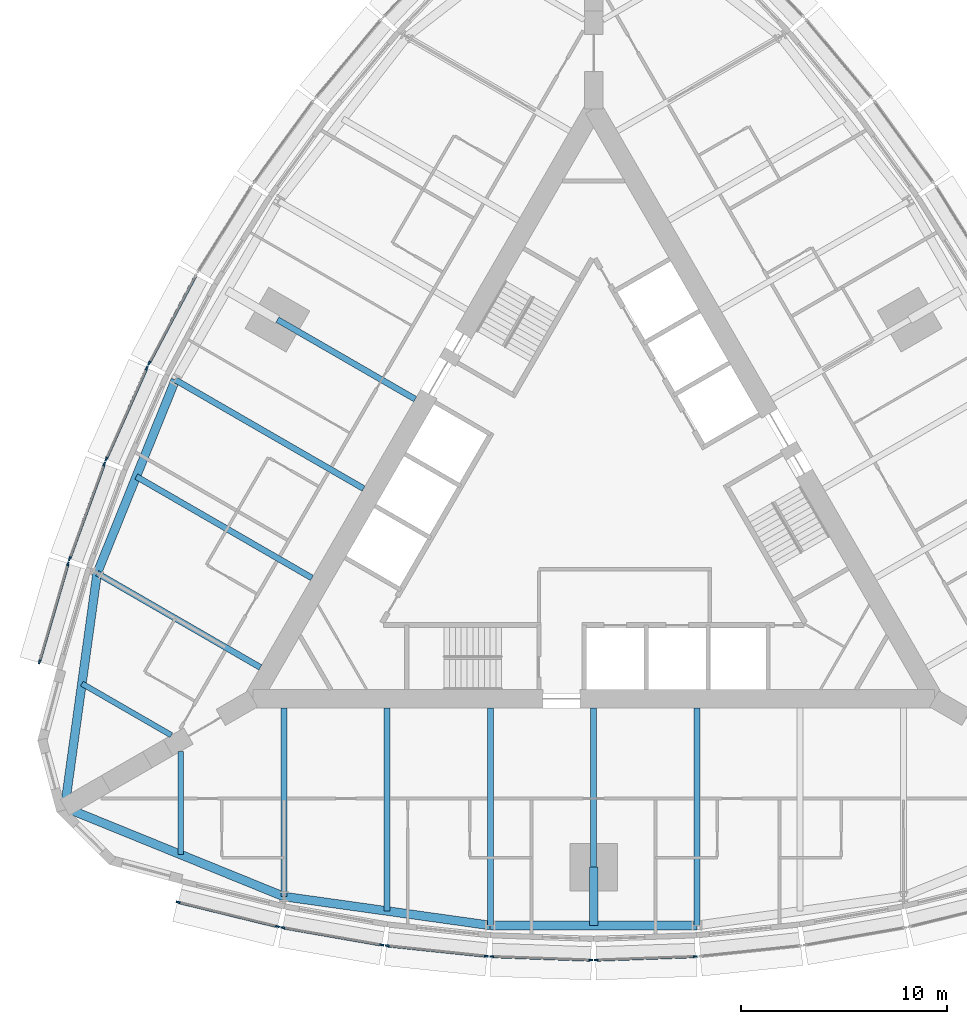
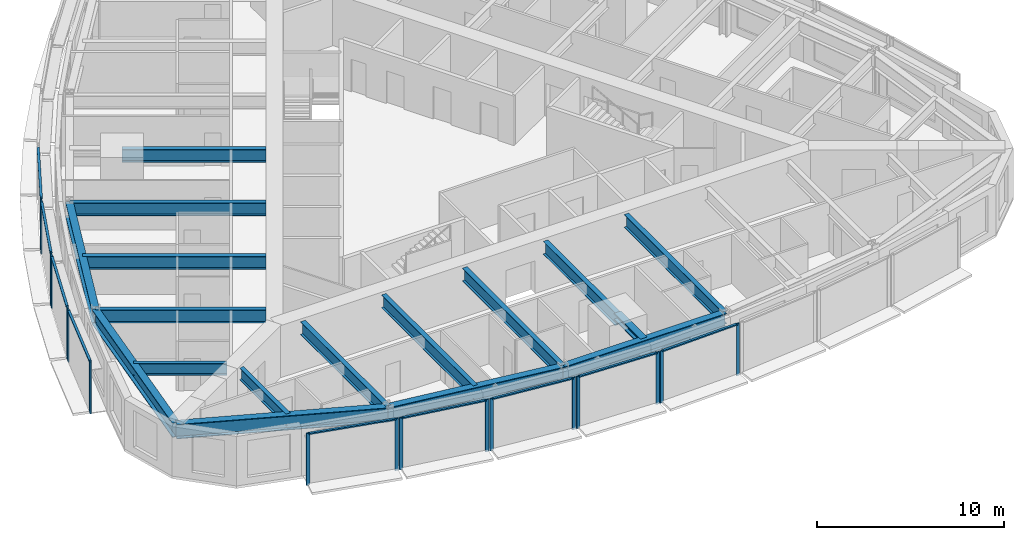
# One storey, part 2 of 14: 26 members, 17 beams, 9 elements without a shape of their own.
"""IFC4 building model written with IfcOpenShell, lengths in metres."""

import ifcopenshell
import ifcopenshell.guid

model = None  # the IFC model being written
_history = None  # IfcOwnerHistory: only IFC2X3 demands one
_inside = {}  # id of a spatial element -> (the spatial element, [elements in it])
_under = {}  # id of a project, library or spatial element -> (it, [spatial elements below it])
_declared = {}  # id of a project -> (the project, [libraries it declares])
_typed = {}  # id of a type object -> (the type object, [elements of that type])
_made_of = {}  # id of a material, layer set ... -> (it, [elements and type objects made of it])


def new_model(schema):
    """Start an empty IFC model of exactly this schema.

    Asked for "IFC4X3", IfcOpenShell would pick the latest addendum, in which some entities
    have other attributes; the version numbers below select the first issue.
    IFC2X3 requires an IfcOwnerHistory on every rooted entity: one is made here for all.
    """
    global model, _history
    if schema == "IFC4X3":
        model = ifcopenshell.file(schema_version=(4, 3, 0, 0))
    else:
        model = ifcopenshell.file(schema=schema)
    _inside.clear()
    _under.clear()
    _declared.clear()
    _typed.clear()
    _made_of.clear()
    _history = None
    if model.schema == "IFC2X3":
        org = make("IfcOrganization", Name="unknown")
        user = make(
            "IfcPersonAndOrganization",
            ThePerson=make("IfcPerson", FamilyName="unknown"),
            TheOrganization=org,
        )
        app = make(
            "IfcApplication",
            ApplicationDeveloper=org,
            Version="unknown",
            ApplicationFullName="unknown",
            ApplicationIdentifier="unknown",
        )
        _history = make(
            "IfcOwnerHistory",
            OwningUser=user,
            OwningApplication=app,
            ChangeAction="ADDED",
            CreationDate=0,
        )
    return model


def make(cls, **values):
    """One entity of the class cls with the attributes given. An attribute that is None is left unset."""
    return model.create_entity(
        cls, **{name: value for name, value in values.items() if value is not None}
    )


def rooted(cls, **values):
    """An entity with a GlobalId (a new one), such as an element, a storey or a relation."""
    return make(cls, GlobalId=ifcopenshell.guid.new(), OwnerHistory=_history, **values)


def si_unit(unit_type, name, prefix=None):
    """IfcSIUnit, for example si_unit("LENGTHUNIT", "METRE", prefix="MILLI")."""
    return make("IfcSIUnit", UnitType=unit_type, Prefix=prefix, Name=name)


def assignment(units):
    """IfcUnitAssignment: the units of a project."""
    return None if units is None else make("IfcUnitAssignment", Units=units)


def point(xyz):
    """IfcCartesianPoint."""
    return None if xyz is None else make("IfcCartesianPoint", Coordinates=xyz)


def direction(xyz):
    """IfcDirection."""
    return None if xyz is None else make("IfcDirection", DirectionRatios=xyz)


def frame(location, z_axis=None, x_axis=None):
    """IfcAxis2Placement3D, a coordinate frame: its origin and axes. An axis left out is left unset."""
    return make(
        "IfcAxis2Placement3D",
        Location=point(location),
        Axis=direction(z_axis),
        RefDirection=direction(x_axis),
    )


def frame_2d(location, x_axis=None):
    """IfcAxis2Placement2D, a coordinate frame in the plane: its origin and x axis."""
    return make(
        "IfcAxis2Placement2D", Location=point(location), RefDirection=direction(x_axis)
    )


def origin():
    """The frame at (0, 0, 0) with its axes left unset."""
    return frame((0.0, 0.0, 0.0))


def origin_2d():
    """The frame at (0, 0) in the plane with its x axis left unset."""
    return frame_2d((0.0, 0.0))


def place(relative_to, where):
    """IfcLocalPlacement: puts the frame where relative to a parent placement (None: the world)."""
    return make(
        "IfcLocalPlacement", PlacementRelTo=relative_to, RelativePlacement=where
    )


def context(
    kind, dimensions, precision=None, world=None, true_north=None, identifier=None
):
    """IfcGeometricRepresentationContext, for example the 3D "Model" context."""
    return make(
        "IfcGeometricRepresentationContext",
        ContextIdentifier=identifier,
        ContextType=kind,
        CoordinateSpaceDimension=dimensions,
        Precision=precision,
        WorldCoordinateSystem=world,
        TrueNorth=true_north,
    )


def subcontext(parent, identifier, kind, view, scale=None):
    """IfcGeometricRepresentationSubContext, for example "Body" below "Model"."""
    return make(
        "IfcGeometricRepresentationSubContext",
        ContextIdentifier=identifier,
        ContextType=kind,
        ParentContext=parent,
        TargetScale=scale,
        TargetView=view,
    )


def project(units=None, contexts=None):
    """IfcProject with its units and contexts."""
    return rooted(
        "IfcProject",
        Name="project",
        RepresentationContexts=contexts,
        UnitsInContext=assignment(units),
    )


def spatial(cls, under=None, at=None, **own):
    """A site, building, storey or space (cls), placed at a placement, below another one or the project."""
    s = rooted(cls, ObjectPlacement=at, **own)
    if under is not None:
        _under.setdefault(under.id(), (under, []))[1].append(s)
    return s


def profile(cls, at=None, kind="AREA", **sizes):
    """A parametric profile (cls). Its sizes go by their IFC names, for example OverallWidth=200.0."""
    return make(cls, ProfileType=kind, Position=at, **sizes)


def rectangle(**sizes):
    """IfcRectangleProfileDef."""
    return profile("IfcRectangleProfileDef", **sizes)


def i_section(**sizes):
    """IfcIShapeProfileDef."""
    return profile("IfcIShapeProfileDef", **sizes)


def extrude(swept, where, along, depth):
    """IfcExtrudedAreaSolid: the profile swept, set in the frame where, extruded along a direction by depth."""
    return make(
        "IfcExtrudedAreaSolid",
        SweptArea=swept,
        Position=where,
        ExtrudedDirection=direction(along),
        Depth=depth,
    )


def shape(context_of_items, identifier, shape_type, items):
    """IfcShapeRepresentation: the items that make up one representation, for example the "Body"."""
    return make(
        "IfcShapeRepresentation",
        ContextOfItems=context_of_items,
        RepresentationIdentifier=identifier,
        RepresentationType=shape_type,
        Items=items,
    )


def material(Name=None, Category=None):
    """IfcMaterial."""
    return make("IfcMaterial", Name=Name, Category=Category)


def material_profile(
    of_material, cross_section, Name=None, Category=None, Priority=None
):
    """IfcMaterialProfile: a cross section and its material."""
    return make(
        "IfcMaterialProfile",
        Name=Name,
        Material=of_material,
        Profile=cross_section,
        Priority=Priority,
        Category=Category,
    )


def profile_set(profiles, Name=None, composite=None):
    """IfcMaterialProfileSet."""
    return make(
        "IfcMaterialProfileSet",
        Name=Name,
        MaterialProfiles=profiles,
        CompositeProfile=composite,
    )


def made_of(thing, what):
    """Note that an element or type object is made of a material, layer set ...; save() writes the relation."""
    if what is not None:
        _made_of.setdefault(what.id(), (what, []))[1].append(thing)
    return thing


def type_object(cls, material=None, **own):
    """A type object (cls), such as IfcWallType, which elements share."""
    return made_of(rooted(cls, **own), material)


def element(
    cls,
    number,
    at=None,
    inside=None,
    cuts=None,
    type_object=None,
    material=None,
    context=None,
    identifier="Body",
    shape_type=None,
    held_by="IfcProductDefinitionShape",
    body=None,
    shapes=None,
    **own,
):
    """One element of the class cls, such as IfcWall. Its Tag is "e" and its number.

    at: its placement. inside: the storey or other place that contains it. cuts: it is an
    opening in that element (IfcRelVoidsElement). A single representation is given by context,
    identifier, shape_type and body (its items); several are given by shapes. held_by: the class
    of the entity that holds the representations. save() writes the other relations.
    """
    e = rooted(cls, Tag="e%d" % number, ObjectPlacement=at, **own)
    if body is not None:
        shapes = [shape(context, identifier, shape_type, body)]
    if shapes is not None:
        e.Representation = make(held_by, Representations=shapes)
    if inside is not None:
        _inside.setdefault(inside.id(), (inside, []))[1].append(e)
    if cuts is not None:
        rooted(
            "IfcRelVoidsElement", RelatingBuildingElement=cuts, RelatedOpeningElement=e
        )
    if type_object is not None:
        _typed.setdefault(type_object.id(), (type_object, []))[1].append(e)
    return made_of(e, material)


def aggregate(whole, parts):
    """IfcRelAggregates: a whole, such as a stair, and the parts it consists of."""
    return rooted("IfcRelAggregates", RelatingObject=whole, RelatedObjects=parts)


def save(model, path):
    """Write the relations noted so far, then the file.

    IfcRelAggregates (storeys below a building ...), IfcRelContainedInSpatialStructure (elements
    in a storey), IfcRelDefinesByType, IfcRelAssociatesMaterial and IfcRelDeclares: one each for
    every whole, place, type object, material and project.
    """
    for whole, parts in _under.values():
        aggregate(whole, parts)
    for where, things in _inside.values():
        rooted(
            "IfcRelContainedInSpatialStructure",
            RelatedElements=things,
            RelatingStructure=where,
        )
    for kind, things in _typed.values():
        rooted("IfcRelDefinesByType", RelatedObjects=things, RelatingType=kind)
    for what, things in _made_of.values():
        rooted("IfcRelAssociatesMaterial", RelatedObjects=things, RelatingMaterial=what)
    for by, libraries in _declared.values():
        rooted("IfcRelDeclares", RelatingContext=by, RelatedDefinitions=libraries)
    model.write(path)


model = new_model("IFC4")

# Units and contexts
model_context = context("Model", 3, precision=1e-05, world=origin(), true_north=direction((0.0, 1.0)))
body_context = subcontext(model_context, "Body", "Model", "MODEL_VIEW")
ifc_project = project(units=[si_unit("LENGTHUNIT", "METRE"), si_unit("AREAUNIT", "SQUARE_METRE"), si_unit("VOLUMEUNIT", "CUBIC_METRE"), si_unit("PLANEANGLEUNIT", "RADIAN"), si_unit("MASSUNIT", "GRAM", prefix="KILO")], contexts=[model_context])

# Site, building, storey
site_placement = place(None, origin())
site = spatial("IfcSite", under=ifc_project, at=site_placement, CompositionType="ELEMENT")
building_placement = place(site_placement, origin())
building = spatial("IfcBuilding", under=site, at=building_placement, Name="Trikona Tower", CompositionType="ELEMENT")
storey_placement = place(building_placement, frame((0.0, 0.0, 165.699951171875)))
storey = spatial("IfcBuildingStorey", under=building, at=storey_placement, Name="L44", CompositionType="ELEMENT", Elevation=165.699951171875)

# Curtain wall, members
ifc_material_1 = material(Name="Aluminium curtain wall system", Category="aluminium")
curtain_wall_type = type_object("IfcCurtainWallType", Name="Curtain wall DS2", PredefinedType="NOTDEFINED", material=ifc_material_1)
curtain_wall_1_placement = place(storey_placement, origin())
curtain_wall_1 = element("IfcCurtainWall", 1, at=curtain_wall_1_placement, inside=storey, type_object=curtain_wall_type, Name="Curtain wall DS2 L44", PredefinedType="NOTDEFINED")
ifc_material_2 = material(Name="Aluminium mullion, pale anodised", Category="aluminium")
ifc_material_profile_1 = material_profile(ifc_material_2, rectangle(XDim=0.080078125, YDim=0.199951171875, at=origin_2d()), Name="MUL-DS2")
ifc_profile_set_1 = profile_set([ifc_material_profile_1], Name="Aluminium mullion, pale anodised")
member_type_1 = type_object("IfcMemberType", Name="Mullion DS2 80x200", PredefinedType="MULLION", material=ifc_profile_set_1)
member_1_placement = place(storey_placement, frame((-20.116943359375, -19.373046875, 0.0), z_axis=(0.0, 0.0, 1.0), x_axis=(0.237970204243, 0.971272455026, 0.0)))
member_1 = element("IfcMember", 2, at=member_1_placement, type_object=member_type_1, Name="CW-DS2 mullion 1", PredefinedType="MULLION", context=body_context, shape_type="SweptSolid", body=[
    extrude(rectangle(XDim=0.080078125, YDim=0.199951171875, at=origin_2d()), origin(), (0.0, 0.0, 1.0), 3.400146484375),
])
member_2_placement = place(storey_placement, frame((-15.311279296875, -20.550537109375, 0.0), z_axis=(0.0, 0.0, 1.0), x_axis=(0.237970204243, 0.971272455026, 0.0)))
member_2 = element("IfcMember", 3, at=member_2_placement, type_object=member_type_1, Name="CW-DS2 mullion 2", PredefinedType="MULLION", context=body_context, shape_type="SweptSolid", body=[
    extrude(rectangle(XDim=0.080078125, YDim=0.199951171875, at=origin_2d()), origin(), (0.0, 0.0, 1.0), 3.400146484375),
])

curtain_wall_2_placement = place(storey_placement, origin())
curtain_wall_2 = element("IfcCurtainWall", 4, at=curtain_wall_2_placement, inside=storey, type_object=curtain_wall_type, Name="Curtain wall DS2 L44", PredefinedType="NOTDEFINED")
member_3_placement = place(storey_placement, frame((-15.056640625, -20.60400390625, 0.0), z_axis=(0.0, 0.0, 1.0), x_axis=(0.17237739505, 0.985030981074, 0.0)))
member_3 = element("IfcMember", 5, at=member_3_placement, type_object=member_type_1, Name="CW-DS2 mullion 1", PredefinedType="MULLION", context=body_context, shape_type="SweptSolid", body=[
    extrude(rectangle(XDim=0.080078125, YDim=0.199951171875, at=origin_2d()), origin(), (0.0, 0.0, 1.0), 3.400146484375),
])
member_4_placement = place(storey_placement, frame((-10.253662109375, -21.444580078125, 0.0), z_axis=(0.0, 0.0, 1.0), x_axis=(0.17237739505, 0.985030981074, 0.0)))
member_4 = element("IfcMember", 6, at=member_4_placement, type_object=member_type_1, Name="CW-DS2 mullion 2", PredefinedType="MULLION", context=body_context, shape_type="SweptSolid", body=[
    extrude(rectangle(XDim=0.080078125, YDim=0.199951171875, at=origin_2d()), origin(), (0.0, 0.0, 1.0), 3.400146484375),
])

curtain_wall_3_placement = place(storey_placement, origin())
curtain_wall_3 = element("IfcCurtainWall", 7, at=curtain_wall_3_placement, inside=storey, type_object=curtain_wall_type, Name="Curtain wall DS2 L44", PredefinedType="NOTDEFINED")
member_5_placement = place(storey_placement, frame((-9.99462890625, -21.480712890625, 0.0), z_axis=(0.0, 0.0, 1.0), x_axis=(0.104433387357, 0.994531883654, 0.0)))
member_5 = element("IfcMember", 8, at=member_5_placement, type_object=member_type_1, Name="CW-DS2 mullion 1", PredefinedType="MULLION", context=body_context, shape_type="SweptSolid", body=[
    extrude(rectangle(XDim=0.080078125, YDim=0.199951171875, at=origin_2d()), origin(), (0.0, 0.0, 1.0), 3.400146484375),
])
member_6_placement = place(storey_placement, frame((-5.193359375, -21.98486328125, 0.0), z_axis=(0.0, 0.0, 1.0), x_axis=(0.104433387357, 0.994531883654, 0.0)))
member_6 = element("IfcMember", 9, at=member_6_placement, type_object=member_type_1, Name="CW-DS2 mullion 2", PredefinedType="MULLION", context=body_context, shape_type="SweptSolid", body=[
    extrude(rectangle(XDim=0.080078125, YDim=0.199951171875, at=origin_2d()), origin(), (0.0, 0.0, 1.0), 3.400146484375),
])

curtain_wall_4_placement = place(storey_placement, origin())
curtain_wall_4 = element("IfcCurtainWall", 10, at=curtain_wall_4_placement, inside=storey, type_object=curtain_wall_type, Name="Curtain wall DS2 L44", PredefinedType="NOTDEFINED")
member_7_placement = place(storey_placement, frame((-4.931640625, -22.003173828125, 0.0), z_axis=(0.0, 0.0, 1.0), x_axis=(0.034998320052, 0.99938737114, 0.0)))
member_7 = element("IfcMember", 11, at=member_7_placement, type_object=member_type_1, Name="CW-DS2 mullion 1", PredefinedType="MULLION", context=body_context, shape_type="SweptSolid", body=[
    extrude(rectangle(XDim=0.080078125, YDim=0.199951171875, at=origin_2d()), origin(), (0.0, 0.0, 1.0), 3.400146484375),
])
member_8_placement = place(storey_placement, frame((-0.13134765625, -22.171142578125, 0.0), z_axis=(0.0, 0.0, 1.0), x_axis=(0.034998320052, 0.99938737114, 0.0)))
member_8 = element("IfcMember", 12, at=member_8_placement, type_object=member_type_1, Name="CW-DS2 mullion 2", PredefinedType="MULLION", context=body_context, shape_type="SweptSolid", body=[
    extrude(rectangle(XDim=0.080078125, YDim=0.199951171875, at=origin_2d()), origin(), (0.0, 0.0, 1.0), 3.400146484375),
])

curtain_wall_5_placement = place(storey_placement, origin())
curtain_wall_5 = element("IfcCurtainWall", 13, at=curtain_wall_5_placement, inside=storey, type_object=curtain_wall_type, Name="Curtain wall DS2 L44", PredefinedType="NOTDEFINED")
member_9_placement = place(storey_placement, frame((0.13134765625, -22.171142578125, 0.0), z_axis=(0.0, 0.0, 1.0), x_axis=(-0.034998320052, 0.99938737114, 0.0)))
member_9 = element("IfcMember", 14, at=member_9_placement, type_object=member_type_1, Name="CW-DS2 mullion 1", PredefinedType="MULLION", context=body_context, shape_type="SweptSolid", body=[
    extrude(rectangle(XDim=0.080078125, YDim=0.199951171875, at=origin_2d()), origin(), (0.0, 0.0, 1.0), 3.400146484375),
])
member_10_placement = place(storey_placement, frame((4.931640625, -22.003173828125, 0.0), z_axis=(0.0, 0.0, 1.0), x_axis=(-0.034998320052, 0.99938737114, 0.0)))
member_10 = element("IfcMember", 15, at=member_10_placement, type_object=member_type_1, Name="CW-DS2 mullion 2", PredefinedType="MULLION", context=body_context, shape_type="SweptSolid", body=[
    extrude(rectangle(XDim=0.080078125, YDim=0.199951171875, at=origin_2d()), origin(), (0.0, 0.0, 1.0), 3.400146484375),
])

# Curtain wall, member
curtain_wall_6_placement = place(storey_placement, origin())
curtain_wall_6 = element("IfcCurtainWall", 16, at=curtain_wall_6_placement, inside=storey, type_object=curtain_wall_type, Name="Curtain wall DS2 L44", PredefinedType="NOTDEFINED")
member_11_placement = place(storey_placement, frame((-21.52099609375, 6.730712890625, 0.0), z_axis=(0.0, 0.0, 1.0), x_axis=(0.882996107343, -0.469380308937, 0.0)))
member_11 = element("IfcMember", 17, at=member_11_placement, type_object=member_type_1, Name="CW-DS2 mullion 2", PredefinedType="MULLION", context=body_context, shape_type="SweptSolid", body=[
    extrude(rectangle(XDim=0.080078125, YDim=0.199951171875, at=origin_2d()), origin(), (0.0, 0.0, 1.0), 3.400146484375),
])

# Curtain wall, members
curtain_wall_7_placement = place(storey_placement, origin())
curtain_wall_7 = element("IfcCurtainWall", 18, at=curtain_wall_7_placement, inside=storey, type_object=curtain_wall_type, Name="Curtain wall DS2 L44", PredefinedType="NOTDEFINED")
member_12_placement = place(storey_placement, frame((-21.63623046875, 6.494873046875, 0.0), z_axis=(0.0, 0.0, 1.0), x_axis=(0.913501208767, -0.406836013132, 0.0)))
member_12 = element("IfcMember", 19, at=member_12_placement, type_object=member_type_1, Name="CW-DS2 mullion 1", PredefinedType="MULLION", context=body_context, shape_type="SweptSolid", body=[
    extrude(rectangle(XDim=0.080078125, YDim=0.199951171875, at=origin_2d()), origin(), (0.0, 0.0, 1.0), 3.400146484375),
])
member_13_placement = place(storey_placement, frame((-23.60009765625, 2.0849609375, 0.0), z_axis=(0.0, 0.0, 1.0), x_axis=(0.913501208767, -0.406836013132, 0.0)))
member_13 = element("IfcMember", 20, at=member_13_placement, type_object=member_type_1, Name="CW-DS2 mullion 2", PredefinedType="MULLION", context=body_context, shape_type="SweptSolid", body=[
    extrude(rectangle(XDim=0.080078125, YDim=0.199951171875, at=origin_2d()), origin(), (0.0, 0.0, 1.0), 3.400146484375),
])

curtain_wall_8_placement = place(storey_placement, origin())
curtain_wall_8 = element("IfcCurtainWall", 21, at=curtain_wall_8_placement, inside=storey, type_object=curtain_wall_type, Name="Curtain wall DS2 L44", PredefinedType="NOTDEFINED")
member_14_placement = place(storey_placement, frame((-23.6982421875, 1.84228515625, 0.0), z_axis=(0.0, 0.0, 1.0), x_axis=(0.939253790978, -0.343223420143, 0.0)))
member_14 = element("IfcMember", 22, at=member_14_placement, type_object=member_type_1, Name="CW-DS2 mullion 1", PredefinedType="MULLION", context=body_context, shape_type="SweptSolid", body=[
    extrude(rectangle(XDim=0.080078125, YDim=0.199951171875, at=origin_2d()), origin(), (0.0, 0.0, 1.0), 3.400146484375),
])
member_15_placement = place(storey_placement, frame((-25.371826171875, -2.737548828125, 0.0), z_axis=(0.0, 0.0, 1.0), x_axis=(0.939253790978, -0.343223420143, 0.0)))
member_15 = element("IfcMember", 23, at=member_15_placement, type_object=member_type_1, Name="CW-DS2 mullion 2", PredefinedType="MULLION", context=body_context, shape_type="SweptSolid", body=[
    extrude(rectangle(XDim=0.080078125, YDim=0.199951171875, at=origin_2d()), origin(), (0.0, 0.0, 1.0), 3.400146484375),
])

curtain_wall_9_placement = place(storey_placement, origin())
curtain_wall_9 = element("IfcCurtainWall", 24, at=curtain_wall_9_placement, inside=storey, type_object=curtain_wall_type, Name="Curtain wall DS2 L44", PredefinedType="NOTDEFINED")
member_16_placement = place(storey_placement, frame((-25.452880859375, -2.984619140625, 0.0), z_axis=(0.0, 0.0, 1.0), x_axis=(0.96013310152, -0.279543247757, 0.0)))
member_16 = element("IfcMember", 25, at=member_16_placement, type_object=member_type_1, Name="CW-DS2 mullion 1", PredefinedType="MULLION", context=body_context, shape_type="SweptSolid", body=[
    extrude(rectangle(XDim=0.080078125, YDim=0.199951171875, at=origin_2d()), origin(), (0.0, 0.0, 1.0), 3.400146484375),
])
member_17_placement = place(storey_placement, frame((-26.836181640625, -7.7353515625, 0.0), z_axis=(0.0, 0.0, 1.0), x_axis=(0.96013310152, -0.279543247757, 0.0)))
member_17 = element("IfcMember", 26, at=member_17_placement, type_object=member_type_1, Name="CW-DS2 mullion 2", PredefinedType="MULLION", context=body_context, shape_type="SweptSolid", body=[
    extrude(rectangle(XDim=0.080078125, YDim=0.199951171875, at=origin_2d()), origin(), (0.0, 0.0, 1.0), 3.400146484375),
])

# Beams
ifc_material_3 = material(Name="Steel ASTM A992 Grade 50", Category="steel")
ifc_material_profile_2 = material_profile(ifc_material_3, i_section(OverallWidth=0.419189453125, OverallDepth=0.45458984375, WebThickness=0.042236328125, FlangeThickness=0.067626953125, at=origin_2d()), Name="W14X370")
ifc_profile_set_2 = profile_set([ifc_material_profile_2], Name="Steel ASTM A992 Grade 50")
beam_type_1 = type_object("IfcBeamType", Name="Steel beam W14x370 (apex bracket)", PredefinedType="BEAM", material=ifc_profile_set_2)
beam_1_placement = place(storey_placement, frame((0.0, -17.680419921875, 3.0078125), z_axis=(0.0, -1.0, 0.0), x_axis=(1.0, 0.0, 0.0)))
element("IfcBeam", 27, at=beam_1_placement, inside=storey, type_object=beam_type_1, Name="Cantilever bracket L45 F1", PredefinedType="BEAM", context=body_context, shape_type="SweptSolid", body=[
    extrude(i_section(OverallWidth=0.419189453125, OverallDepth=0.45458984375, WebThickness=0.042236328125, FlangeThickness=0.067626953125, at=origin_2d()), origin(), (0.0, 0.0, 1.0), 2.81982421875),
])
ifc_material_4 = material(Name="Steel ASTM A992 Grade 50", Category="steel")
ifc_material_profile_3 = material_profile(ifc_material_4, i_section(OverallWidth=0.2666015625, OverallDepth=0.76953125, WebThickness=0.015625, FlangeThickness=0.025390625, at=origin_2d()), Name="W30X132")
ifc_profile_set_3 = profile_set([ifc_material_profile_3], Name="Steel ASTM A992 Grade 50")
beam_type_2 = type_object("IfcBeamType", Name="Steel beam W30x132 (wedge)", PredefinedType="BEAM", material=ifc_profile_set_3)
beam_2_placement = place(storey_placement, frame((-20.0, -12.066650390625, 2.850341796875), z_axis=(0.0, -1.0, 0.0), x_axis=(1.0, 0.0, 0.0)))
element("IfcBeam", 28, at=beam_2_placement, inside=storey, type_object=beam_type_2, Name="Floor beam L45 F1 u-20", PredefinedType="BEAM", context=body_context, shape_type="SweptSolid", body=[
    extrude(i_section(OverallWidth=0.2666015625, OverallDepth=0.76953125, WebThickness=0.015625, FlangeThickness=0.025390625, at=origin_2d()), origin(), (0.0, 0.0, 1.0), 5.00048828125),
])
beam_3_placement = place(storey_placement, frame((-20.449951171875, -11.287109375, 2.850341796875), z_axis=(-0.866038434829, 0.49997742889, 0.0), x_axis=(-0.49997742889, -0.866038434829, 0.0)))
element("IfcBeam", 29, at=beam_3_placement, inside=storey, type_object=beam_type_2, Name="Floor beam L45 F3 u20", PredefinedType="BEAM", context=body_context, shape_type="SweptSolid", body=[
    extrude(i_section(OverallWidth=0.2666015625, OverallDepth=0.76953125, WebThickness=0.015625, FlangeThickness=0.025390625, at=origin_2d()), origin(), (0.0, 0.0, 1.0), 5.000732421875),
])
ifc_material_5 = material(Name="Steel ASTM A992 Grade 50", Category="steel")
ifc_material_profile_4 = material_profile(ifc_material_5, i_section(OverallWidth=0.2919921875, OverallDepth=0.845703125, WebThickness=0.015380859375, FlangeThickness=0.0244140625, at=origin_2d()), Name="W33X141")
ifc_profile_set_4 = profile_set([ifc_material_profile_4], Name="Steel ASTM A992 Grade 50")
beam_type_3 = type_object("IfcBeamType", Name="Steel beam W33x141 (radial typ)", PredefinedType="BEAM", material=ifc_profile_set_4)
beam_4_placement = place(storey_placement, frame((-15.0, -9.976318359375, 2.812255859375), z_axis=(0.0, -1.0, 0.0), x_axis=(1.0, 0.0, 0.0)))
element("IfcBeam", 30, at=beam_4_placement, inside=storey, type_object=beam_type_3, Name="Floor beam L45 F1 u-15", PredefinedType="BEAM", context=body_context, shape_type="SweptSolid", body=[
    extrude(i_section(OverallWidth=0.2919921875, OverallDepth=0.845703125, WebThickness=0.015380859375, FlangeThickness=0.0244140625, at=origin_2d()), origin(), (0.0, 0.0, 1.0), 9.123779296875),
])
beam_5_placement = place(storey_placement, frame((-10.0, -9.976318359375, 2.812255859375), z_axis=(0.0, -1.0, 0.0), x_axis=(1.0, 0.0, 0.0)))
element("IfcBeam", 31, at=beam_5_placement, inside=storey, type_object=beam_type_3, Name="Floor beam L45 F1 u-10", PredefinedType="BEAM", context=body_context, shape_type="SweptSolid", body=[
    extrude(i_section(OverallWidth=0.2919921875, OverallDepth=0.845703125, WebThickness=0.015380859375, FlangeThickness=0.0244140625, at=origin_2d()), origin(), (0.0, 0.0, 1.0), 9.823974609375),
])
beam_6_placement = place(storey_placement, frame((-5.0, -9.976318359375, 2.812255859375), z_axis=(0.0, -1.0, 0.0), x_axis=(1.0, 0.0, 0.0)))
element("IfcBeam", 32, at=beam_6_placement, inside=storey, type_object=beam_type_3, Name="Floor beam L45 F1 u-5", PredefinedType="BEAM", context=body_context, shape_type="SweptSolid", body=[
    extrude(i_section(OverallWidth=0.2919921875, OverallDepth=0.845703125, WebThickness=0.015380859375, FlangeThickness=0.0244140625, at=origin_2d()), origin(), (0.0, 0.0, 1.0), 10.52392578125),
])
beam_7_placement = place(storey_placement, frame((0.0, -9.976318359375, 2.812255859375), z_axis=(0.0, -1.0, 0.0), x_axis=(1.0, 0.0, 0.0)))
element("IfcBeam", 33, at=beam_7_placement, inside=storey, type_object=beam_type_3, Name="Floor beam L45 F1 u0", PredefinedType="BEAM", context=body_context, shape_type="SweptSolid", body=[
    extrude(i_section(OverallWidth=0.2919921875, OverallDepth=0.845703125, WebThickness=0.015380859375, FlangeThickness=0.0244140625, at=origin_2d()), origin(), (0.0, 0.0, 1.0), 7.7041015625),
])
beam_8_placement = place(storey_placement, frame((5.0, -9.976318359375, 2.812255859375), z_axis=(0.0, -1.0, 0.0), x_axis=(1.0, 0.0, 0.0)))
element("IfcBeam", 34, at=beam_8_placement, inside=storey, type_object=beam_type_3, Name="Floor beam L45 F1 u5", PredefinedType="BEAM", context=body_context, shape_type="SweptSolid", body=[
    extrude(i_section(OverallWidth=0.2919921875, OverallDepth=0.845703125, WebThickness=0.015380859375, FlangeThickness=0.0244140625, at=origin_2d()), origin(), (0.0, 0.0, 1.0), 10.52392578125),
])
beam_9_placement = place(storey_placement, frame((-8.6396484375, 4.988037109375, 2.812255859375), z_axis=(-0.866017246294, 0.500014128921, 0.0), x_axis=(-0.500014128921, -0.866017246294, 0.0)))
element("IfcBeam", 35, at=beam_9_placement, inside=storey, type_object=beam_type_3, Name="Floor beam L45 F3 u0", PredefinedType="BEAM", context=body_context, shape_type="SweptSolid", body=[
    extrude(i_section(OverallWidth=0.2919921875, OverallDepth=0.845703125, WebThickness=0.015380859375, FlangeThickness=0.0244140625, at=origin_2d()), origin(), (0.0, 0.0, 1.0), 7.704345703125),
])
beam_10_placement = place(storey_placement, frame((-11.1396484375, 0.657958984375, 2.812255859375), z_axis=(-0.866026035623, 0.499998905622, 0.0), x_axis=(-0.499998905622, -0.866026035623, 0.0)))
element("IfcBeam", 36, at=beam_10_placement, inside=storey, type_object=beam_type_3, Name="Floor beam L45 F3 u5", PredefinedType="BEAM", context=body_context, shape_type="SweptSolid", body=[
    extrude(i_section(OverallWidth=0.2919921875, OverallDepth=0.845703125, WebThickness=0.015380859375, FlangeThickness=0.0244140625, at=origin_2d()), origin(), (0.0, 0.0, 1.0), 10.52392578125),
])
beam_11_placement = place(storey_placement, frame((-13.6396484375, -3.672119140625, 2.812255859375), z_axis=(-0.866020046725, 0.500009278584, 0.0), x_axis=(-0.500009278584, -0.866020046725, 0.0)))
element("IfcBeam", 37, at=beam_11_placement, inside=storey, type_object=beam_type_3, Name="Floor beam L45 F3 u10", PredefinedType="BEAM", context=body_context, shape_type="SweptSolid", body=[
    extrude(i_section(OverallWidth=0.2919921875, OverallDepth=0.845703125, WebThickness=0.015380859375, FlangeThickness=0.0244140625, at=origin_2d()), origin(), (0.0, 0.0, 1.0), 9.823974609375),
])
beam_12_placement = place(storey_placement, frame((-16.1396484375, -8.002197265625, 2.812255859375), z_axis=(-0.866024725532, 0.500001174766, 0.0), x_axis=(-0.500001174766, -0.866024725532, 0.0)))
element("IfcBeam", 38, at=beam_12_placement, inside=storey, type_object=beam_type_3, Name="Floor beam L45 F3 u15", PredefinedType="BEAM", context=body_context, shape_type="SweptSolid", body=[
    extrude(i_section(OverallWidth=0.2919921875, OverallDepth=0.845703125, WebThickness=0.015380859375, FlangeThickness=0.0244140625, at=origin_2d()), origin(), (0.0, 0.0, 1.0), 9.1240234375),
])
ifc_material_6 = material(Name="Steel ASTM A992 Grade 50", Category="steel")
ifc_material_profile_5 = material_profile(ifc_material_6, i_section(OverallWidth=0.424072265625, OverallDepth=0.947509765625, WebThickness=0.02392578125, FlangeThickness=0.042724609375, at=origin_2d()), Name="W36X302")
ifc_profile_set_5 = profile_set([ifc_material_profile_5], Name="Steel ASTM A992 Grade 50")
beam_type_4 = type_object("IfcBeamType", Name="Steel beam W36x302 (spandrel)", PredefinedType="SPANDREL", material=ifc_profile_set_5)
beam_13_placement = place(storey_placement, frame((-25.6103515625, -14.7861328125, 2.76123046875), z_axis=(0.926359695662, -0.376640032728, 0.0), x_axis=(0.376640032728, 0.926359695662, 0.0)))
element("IfcBeam", 39, at=beam_13_placement, inside=storey, type_object=beam_type_4, Name="Spandrel beam L45 F1-1", PredefinedType="SPANDREL", context=body_context, shape_type="SweptSolid", body=[
    extrude(i_section(OverallWidth=0.424072265625, OverallDepth=0.947509765625, WebThickness=0.02392578125, FlangeThickness=0.042724609375, at=origin_2d()), origin(), (0.0, 0.0, 1.0), 11.453857421875),
])
beam_14_placement = place(storey_placement, frame((-15.0, -19.10009765625, 2.76123046875), z_axis=(0.990339754644, -0.13866207258, 0.0), x_axis=(0.13866207258, 0.990339754644, 0.0)))
element("IfcBeam", 40, at=beam_14_placement, inside=storey, type_object=beam_type_4, Name="Spandrel beam L45 F1-2", PredefinedType="SPANDREL", context=body_context, shape_type="SweptSolid", body=[
    extrude(i_section(OverallWidth=0.424072265625, OverallDepth=0.947509765625, WebThickness=0.02392578125, FlangeThickness=0.042724609375, at=origin_2d()), origin(), (0.0, 0.0, 1.0), 10.09765625),
])
beam_15_placement = place(storey_placement, frame((-5.0, -20.500244140625, 2.76123046875), z_axis=(1.0, 0.0, 0.0), x_axis=(0.0, 1.0, 0.0)))
element("IfcBeam", 41, at=beam_15_placement, inside=storey, type_object=beam_type_4, Name="Spandrel beam L45 F1-3", PredefinedType="SPANDREL", context=body_context, shape_type="SweptSolid", body=[
    extrude(i_section(OverallWidth=0.424072265625, OverallDepth=0.947509765625, WebThickness=0.02392578125, FlangeThickness=0.042724609375, at=origin_2d()), origin(), (0.0, 0.0, 1.0), 10.0),
])
beam_16_placement = place(storey_placement, frame((-20.253662109375, 5.919921875, 2.76123046875), z_axis=(-0.375106193787, -0.926981846307, 0.0), x_axis=(0.926981846307, -0.375106193787, 0.0)))
element("IfcBeam", 42, at=beam_16_placement, inside=storey, type_object=beam_type_4, Name="Spandrel beam L45 F3-4", PredefinedType="SPANDREL", context=body_context, shape_type="SweptSolid", body=[
    extrude(i_section(OverallWidth=0.424072265625, OverallDepth=0.947509765625, WebThickness=0.02392578125, FlangeThickness=0.042724609375, at=origin_2d()), origin(), (0.0, 0.0, 1.0), 10.097412109375),
])
beam_17_placement = place(storey_placement, frame((-24.041259765625, -3.440185546875, 2.76123046875), z_axis=(-0.136991535842, -0.990572218017, 0.0), x_axis=(0.990572218017, -0.136991535842, 0.0)))
element("IfcBeam", 43, at=beam_17_placement, inside=storey, type_object=beam_type_4, Name="Spandrel beam L45 F3-5", PredefinedType="SPANDREL", context=body_context, shape_type="SweptSolid", body=[
    extrude(i_section(OverallWidth=0.424072265625, OverallDepth=0.947509765625, WebThickness=0.02392578125, FlangeThickness=0.042724609375, at=origin_2d()), origin(), (0.0, 0.0, 1.0), 11.453857421875),
])

# Member
ifc_material_7 = material(Name="Aluminium transom, pale anodised", Category="aluminium")
ifc_material_profile_6 = material_profile(ifc_material_7, rectangle(XDim=0.139892578125, YDim=0.080078125, at=origin_2d()), Name="TRN-DS2")
ifc_profile_set_6 = profile_set([ifc_material_profile_6], Name="Aluminium transom, pale anodised")
member_type_2 = type_object("IfcMemberType", Name="Transom DS2 80x140", PredefinedType="USERDEFINED", material=ifc_profile_set_6)
member_18_placement = place(storey_placement, frame((-20.078125, -19.382568359375, 3.360107421875), z_axis=(0.971270583303, -0.237977843528, 0.0), x_axis=(0.237977843528, 0.971270583303, 0.0)))
member_18 = element("IfcMember", 44, at=member_18_placement, type_object=member_type_2, Name="CW-DS2 transom 1.1", ObjectType="TRANSOM", PredefinedType="USERDEFINED", context=body_context, shape_type="SweptSolid", body=[
    extrude(rectangle(XDim=0.139892578125, YDim=0.080078125, at=origin_2d()), origin(), (0.0, 0.0, 1.0), 4.867919921875),
])

aggregate(curtain_wall_1, [member_1, member_2, member_18])

member_19_placement = place(storey_placement, frame((-15.01708984375, -20.61083984375, 3.360107421875), z_axis=(0.98503262804, -0.172367983387, 0.0), x_axis=(0.172367983387, 0.98503262804, 0.0)))
member_19 = element("IfcMember", 45, at=member_19_placement, type_object=member_type_2, Name="CW-DS2 transom 1.1", ObjectType="TRANSOM", PredefinedType="USERDEFINED", context=body_context, shape_type="SweptSolid", body=[
    extrude(rectangle(XDim=0.139892578125, YDim=0.080078125, at=origin_2d()), origin(), (0.0, 0.0, 1.0), 4.7958984375),
])

aggregate(curtain_wall_2, [member_3, member_4, member_19])

member_20_placement = place(storey_placement, frame((-9.954833984375, -21.48486328125, 3.360107421875), z_axis=(0.99453106441, -0.104441188822, 0.0), x_axis=(0.104441188822, 0.99453106441, 0.0)))
member_20 = element("IfcMember", 46, at=member_20_placement, type_object=member_type_2, Name="CW-DS2 transom 1.1", ObjectType="TRANSOM", PredefinedType="USERDEFINED", context=body_context, shape_type="SweptSolid", body=[
    extrude(rectangle(XDim=0.139892578125, YDim=0.080078125, at=origin_2d()), origin(), (0.0, 0.0, 1.0), 4.74755859375),
])

aggregate(curtain_wall_3, [member_5, member_6, member_20])

member_21_placement = place(storey_placement, frame((-4.8916015625, -22.00439453125, 3.360107421875), z_axis=(0.999385692759, -0.035046213908, 0.0), x_axis=(0.035046213908, 0.999385692759, 0.0)))
member_21 = element("IfcMember", 47, at=member_21_placement, type_object=member_type_2, Name="CW-DS2 transom 1.1", ObjectType="TRANSOM", PredefinedType="USERDEFINED", context=body_context, shape_type="SweptSolid", body=[
    extrude(rectangle(XDim=0.139892578125, YDim=0.080078125, at=origin_2d()), origin(), (0.0, 0.0, 1.0), 4.72314453125),
])

aggregate(curtain_wall_4, [member_7, member_8, member_21])

member_22_placement = place(storey_placement, frame((0.17138671875, -22.169921875, 3.360107421875), z_axis=(0.999385692759, 0.035046213908, 0.0), x_axis=(-0.035046213908, 0.999385692759, 0.0)))
member_22 = element("IfcMember", 48, at=member_22_placement, type_object=member_type_2, Name="CW-DS2 transom 1.1", ObjectType="TRANSOM", PredefinedType="USERDEFINED", context=body_context, shape_type="SweptSolid", body=[
    extrude(rectangle(XDim=0.139892578125, YDim=0.080078125, at=origin_2d()), origin(), (0.0, 0.0, 1.0), 4.72314453125),
])

aggregate(curtain_wall_5, [member_9, member_10, member_22])

member_23_placement = place(storey_placement, frame((-19.285400390625, 10.9365234375, 3.360107421875), z_axis=(-0.469364343408, -0.883004594063, 0.0), x_axis=(0.883004594063, -0.469364343408, 0.0)))
member_23 = element("IfcMember", 49, at=member_23_placement, type_object=member_type_2, Name="CW-DS2 transom 1.1", ObjectType="TRANSOM", PredefinedType="USERDEFINED", context=body_context, shape_type="SweptSolid", body=[
    extrude(rectangle(XDim=0.139892578125, YDim=0.080078125, at=origin_2d()), origin(), (0.0, 0.0, 1.0), 4.722900390625),
])

aggregate(curtain_wall_6, [member_11, member_23])

member_24_placement = place(storey_placement, frame((-21.65234375, 6.458251953125, 3.360107421875), z_axis=(-0.406839769607, -0.913499535778, 0.0), x_axis=(0.913499535778, -0.406839769607, 0.0)))
member_24 = element("IfcMember", 50, at=member_24_placement, type_object=member_type_2, Name="CW-DS2 transom 1.1", ObjectType="TRANSOM", PredefinedType="USERDEFINED", context=body_context, shape_type="SweptSolid", body=[
    extrude(rectangle(XDim=0.139892578125, YDim=0.080078125, at=origin_2d()), origin(), (0.0, 0.0, 1.0), 4.747314453125),
])

aggregate(curtain_wall_7, [member_12, member_13, member_24])

member_25_placement = place(storey_placement, frame((-23.712158203125, 1.8046875, 3.360107421875), z_axis=(-0.343205907674, -0.939260190223, 0.0), x_axis=(0.939260190223, -0.343205907674, 0.0)))
member_25 = element("IfcMember", 51, at=member_25_placement, type_object=member_type_2, Name="CW-DS2 transom 1.1", ObjectType="TRANSOM", PredefinedType="USERDEFINED", context=body_context, shape_type="SweptSolid", body=[
    extrude(rectangle(XDim=0.139892578125, YDim=0.080078125, at=origin_2d()), origin(), (0.0, 0.0, 1.0), 4.7958984375),
])

aggregate(curtain_wall_8, [member_14, member_15, member_25])

member_26_placement = place(storey_placement, frame((-25.464111328125, -3.023193359375, 3.360107421875), z_axis=(-0.279566628153, -0.960126293996, 0.0), x_axis=(0.960126293996, -0.279566628153, 0.0)))
member_26 = element("IfcMember", 52, at=member_26_placement, type_object=member_type_2, Name="CW-DS2 transom 1.1", ObjectType="TRANSOM", PredefinedType="USERDEFINED", context=body_context, shape_type="SweptSolid", body=[
    extrude(rectangle(XDim=0.139892578125, YDim=0.080078125, at=origin_2d()), origin(), (0.0, 0.0, 1.0), 4.86767578125),
])

aggregate(curtain_wall_9, [member_16, member_17, member_26])

save(model, "model.ifc")
